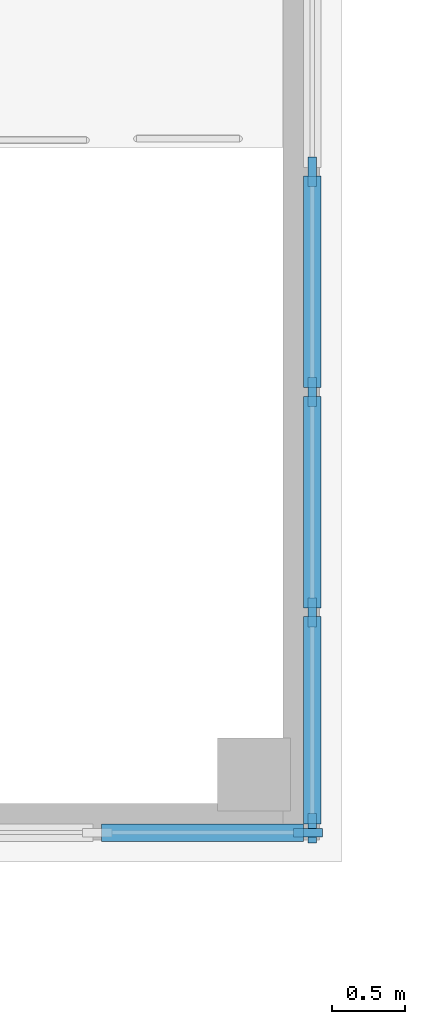
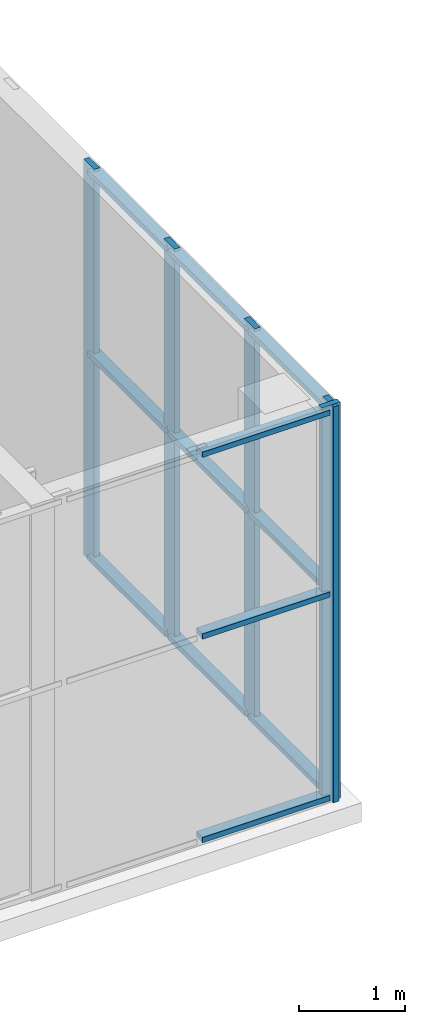
# One storey, part 38 of 92: 17 members, 2 elements without a shape of their own.
"""IFC4 building model written with IfcOpenShell, lengths in metres."""

from ifc_helpers import new_model, si_unit, direction, frame, origin, origin_2d, place, context, subcontext, project, spatial, rectangle, extrude, material, layer, layer_set, material_profile, profile_set, type_object, element, aggregate, save


model = new_model("IFC4")

# Units and contexts
model_context = context("Model", 3, precision=1e-05, world=origin(), true_north=direction((0.0, 1.0)))
body_context = subcontext(model_context, "Body", "Model", "MODEL_VIEW")
ifc_project = project(units=[si_unit("LENGTHUNIT", "METRE"), si_unit("AREAUNIT", "SQUARE_METRE"), si_unit("VOLUMEUNIT", "CUBIC_METRE"), si_unit("PLANEANGLEUNIT", "RADIAN"), si_unit("MASSUNIT", "GRAM", prefix="KILO")], contexts=[model_context])

# Site, building, storey
site_placement = place(None, origin())
site = spatial("IfcSite", under=ifc_project, at=site_placement, CompositionType="ELEMENT")
building_placement = place(site_placement, origin())
building = spatial("IfcBuilding", under=site, at=building_placement, Name="Lantern Court Media Centre", CompositionType="ELEMENT")
storey_placement = place(building_placement, frame((0.0, 0.0, 4.800048828125)))
storey = spatial("IfcBuildingStorey", under=building, at=storey_placement, Name="L01", CompositionType="ELEMENT", Elevation=4.800048828125)

# Curtain wall, member
ifc_material_1 = material(Name="Aluminium and glass", Category="aluminium")
ifc_layer = layer(ifc_material_1, 0.14990234375)
ifc_layer_set = layer_set([ifc_layer], Name="Aluminium and glass")
curtain_wall_type = type_object("IfcCurtainWallType", Name="Hall lancet glazing", PredefinedType="NOTDEFINED", material=ifc_layer_set)
curtain_wall_1_placement = place(storey_placement, origin())
curtain_wall_1 = element("IfcCurtainWall", 1, at=curtain_wall_1_placement, inside=storey, type_object=curtain_wall_type, Name="Press box glazing S 3", PredefinedType="NOTDEFINED")
ifc_material_2 = material(Name="Aluminium, anodised", Category="aluminium")
ifc_material_profile_1 = material_profile(ifc_material_2, rectangle(XDim=0.06005859375, YDim=0.199951171875, at=origin_2d()), Name="HM")
ifc_profile_set_1 = profile_set([ifc_material_profile_1], Name="Aluminium, anodised")
member_type_1 = type_object("IfcMemberType", Name="HM", PredefinedType="MULLION", material=ifc_profile_set_1)
member_1_placement = place(storey_placement, frame((63.77001953125, 73.199951171875, 0.0), z_axis=(0.0, 0.0, 1.0), x_axis=(0.0, 1.0, 0.0)))
member_1 = element("IfcMember", 2, at=member_1_placement, type_object=member_type_1, Name="HCW-PS3 mullion 17", PredefinedType="MULLION", context=body_context, shape_type="SweptSolid", body=[
    extrude(rectangle(XDim=0.06005859375, YDim=0.199951171875, at=origin_2d()), origin(), (0.0, 0.0, 1.0), 4.550048828125),
])

# Curtain wall, members
curtain_wall_2_placement = place(storey_placement, origin())
curtain_wall_2 = element("IfcCurtainWall", 3, at=curtain_wall_2_placement, inside=storey, type_object=curtain_wall_type, Name="Press box glazing E 3", PredefinedType="NOTDEFINED")
member_2_placement = place(storey_placement, frame((63.800048828125, 73.22998046875, 0.0), z_axis=(0.0, 0.0, 1.0), x_axis=(-1.0, 0.0, 0.0)))
member_2 = element("IfcMember", 4, at=member_2_placement, type_object=member_type_1, Name="HCW-PE3 mullion 1", PredefinedType="MULLION", context=body_context, shape_type="SweptSolid", body=[
    extrude(rectangle(XDim=0.06005859375, YDim=0.199951171875, at=origin_2d()), origin(), (0.0, 0.0, 1.0), 4.550048828125),
])
member_3_placement = place(storey_placement, frame((63.800048828125, 74.711181640625, 0.0), z_axis=(0.0, 0.0, 1.0), x_axis=(-1.0, 0.0, 0.0)))
member_3 = element("IfcMember", 5, at=member_3_placement, type_object=member_type_1, Name="HCW-PE3 mullion 2", PredefinedType="MULLION", context=body_context, shape_type="SweptSolid", body=[
    extrude(rectangle(XDim=0.06005859375, YDim=0.199951171875, at=origin_2d()), origin(), (0.0, 0.0, 1.0), 4.550048828125),
])
member_4_placement = place(storey_placement, frame((63.800048828125, 76.22216796875, 0.0), z_axis=(0.0, 0.0, 1.0), x_axis=(-1.0, 0.0, 0.0)))
member_4 = element("IfcMember", 6, at=member_4_placement, type_object=member_type_1, Name="HCW-PE3 mullion 3", PredefinedType="MULLION", context=body_context, shape_type="SweptSolid", body=[
    extrude(rectangle(XDim=0.06005859375, YDim=0.199951171875, at=origin_2d()), origin(), (0.0, 0.0, 1.0), 4.550048828125),
])
member_5_placement = place(storey_placement, frame((63.800048828125, 77.7333984375, 0.0), z_axis=(0.0, 0.0, 1.0), x_axis=(-1.0, 0.0, 0.0)))
member_5 = element("IfcMember", 7, at=member_5_placement, type_object=member_type_1, Name="HCW-PE3 mullion 4", PredefinedType="MULLION", context=body_context, shape_type="SweptSolid", body=[
    extrude(rectangle(XDim=0.06005859375, YDim=0.199951171875, at=origin_2d()), origin(), (0.0, 0.0, 1.0), 4.550048828125),
])

# Member
ifc_material_profile_2 = material_profile(ifc_material_2, rectangle(XDim=0.1201171875, YDim=0.06005859375, at=origin_2d()), Name="HT")
ifc_profile_set_2 = profile_set([ifc_material_profile_2], Name="Aluminium, anodised")
member_type_2 = type_object("IfcMemberType", Name="HT", PredefinedType="USERDEFINED", material=ifc_profile_set_2)
member_6_placement = place(storey_placement, frame((62.35498046875, 73.199951171875, 0.06005859375), z_axis=(1.0, 0.0, 0.0), x_axis=(0.0, 1.0, 0.0)))
member_6 = element("IfcMember", 8, at=member_6_placement, type_object=member_type_2, Name="HCW-PS3 transom 16.1", ObjectType="TRANSOM", PredefinedType="USERDEFINED", context=body_context, shape_type="SweptSolid", body=[
    extrude(rectangle(XDim=0.1201171875, YDim=0.06005859375, at=origin_2d()), origin(), (0.0, 0.0, 1.0), 1.385009765625),
])

member_7_placement = place(storey_placement, frame((62.35498046875, 73.199951171875, 2.39990234375), z_axis=(1.0, 0.0, 0.0), x_axis=(0.0, 1.0, 0.0)))
member_7 = element("IfcMember", 9, at=member_7_placement, type_object=member_type_2, Name="HCW-PS3 transom 16.2", ObjectType="TRANSOM", PredefinedType="USERDEFINED", context=body_context, shape_type="SweptSolid", body=[
    extrude(rectangle(XDim=0.1201171875, YDim=0.06005859375, at=origin_2d()), origin(), (0.0, 0.0, 1.0), 1.385009765625),
])

member_8_placement = place(storey_placement, frame((62.35498046875, 73.199951171875, 4.489990234375), z_axis=(1.0, 0.0, 0.0), x_axis=(0.0, 1.0, 0.0)))
member_8 = element("IfcMember", 10, at=member_8_placement, type_object=member_type_2, Name="HCW-PS3 transom 16.3", ObjectType="TRANSOM", PredefinedType="USERDEFINED", context=body_context, shape_type="SweptSolid", body=[
    extrude(rectangle(XDim=0.1201171875, YDim=0.06005859375, at=origin_2d()), origin(), (0.0, 0.0, 1.0), 1.385009765625),
])

aggregate(curtain_wall_1, [member_1, member_6, member_7, member_8])

member_9_placement = place(storey_placement, frame((63.800048828125, 73.260009765625, 0.06005859375), z_axis=(0.0, 1.0, 0.0), x_axis=(-1.0, 0.0, 0.0)))
member_9 = element("IfcMember", 11, at=member_9_placement, type_object=member_type_2, Name="HCW-PE3 transom 1.1", ObjectType="TRANSOM", PredefinedType="USERDEFINED", context=body_context, shape_type="SweptSolid", body=[
    extrude(rectangle(XDim=0.1201171875, YDim=0.06005859375, at=origin_2d()), origin(), (0.0, 0.0, 1.0), 1.421142578125),
])

member_10_placement = place(storey_placement, frame((63.800048828125, 73.260009765625, 2.39990234375), z_axis=(0.0, 1.0, 0.0), x_axis=(-1.0, 0.0, 0.0)))
member_10 = element("IfcMember", 12, at=member_10_placement, type_object=member_type_2, Name="HCW-PE3 transom 1.2", ObjectType="TRANSOM", PredefinedType="USERDEFINED", context=body_context, shape_type="SweptSolid", body=[
    extrude(rectangle(XDim=0.1201171875, YDim=0.06005859375, at=origin_2d()), origin(), (0.0, 0.0, 1.0), 1.421142578125),
])

member_11_placement = place(storey_placement, frame((63.800048828125, 73.260009765625, 4.489990234375), z_axis=(0.0, 1.0, 0.0), x_axis=(-1.0, 0.0, 0.0)))
member_11 = element("IfcMember", 13, at=member_11_placement, type_object=member_type_2, Name="HCW-PE3 transom 1.3", ObjectType="TRANSOM", PredefinedType="USERDEFINED", context=body_context, shape_type="SweptSolid", body=[
    extrude(rectangle(XDim=0.1201171875, YDim=0.06005859375, at=origin_2d()), origin(), (0.0, 0.0, 1.0), 1.421142578125),
])

member_12_placement = place(storey_placement, frame((63.800048828125, 74.7412109375, 0.06005859375), z_axis=(0.0, 1.0, 0.0), x_axis=(-1.0, 0.0, 0.0)))
member_12 = element("IfcMember", 14, at=member_12_placement, type_object=member_type_2, Name="HCW-PE3 transom 2.1", ObjectType="TRANSOM", PredefinedType="USERDEFINED", context=body_context, shape_type="SweptSolid", body=[
    extrude(rectangle(XDim=0.1201171875, YDim=0.06005859375, at=origin_2d()), origin(), (0.0, 0.0, 1.0), 1.450927734375),
])

member_13_placement = place(storey_placement, frame((63.800048828125, 74.7412109375, 2.39990234375), z_axis=(0.0, 1.0, 0.0), x_axis=(-1.0, 0.0, 0.0)))
member_13 = element("IfcMember", 15, at=member_13_placement, type_object=member_type_2, Name="HCW-PE3 transom 2.2", ObjectType="TRANSOM", PredefinedType="USERDEFINED", context=body_context, shape_type="SweptSolid", body=[
    extrude(rectangle(XDim=0.1201171875, YDim=0.06005859375, at=origin_2d()), origin(), (0.0, 0.0, 1.0), 1.450927734375),
])

member_14_placement = place(storey_placement, frame((63.800048828125, 74.7412109375, 4.489990234375), z_axis=(0.0, 1.0, 0.0), x_axis=(-1.0, 0.0, 0.0)))
member_14 = element("IfcMember", 16, at=member_14_placement, type_object=member_type_2, Name="HCW-PE3 transom 2.3", ObjectType="TRANSOM", PredefinedType="USERDEFINED", context=body_context, shape_type="SweptSolid", body=[
    extrude(rectangle(XDim=0.1201171875, YDim=0.06005859375, at=origin_2d()), origin(), (0.0, 0.0, 1.0), 1.450927734375),
])

member_15_placement = place(storey_placement, frame((63.800048828125, 76.252197265625, 0.06005859375), z_axis=(0.0, 1.0, 0.0), x_axis=(-1.0, 0.0, 0.0)))
member_15 = element("IfcMember", 17, at=member_15_placement, type_object=member_type_2, Name="HCW-PE3 transom 3.1", ObjectType="TRANSOM", PredefinedType="USERDEFINED", context=body_context, shape_type="SweptSolid", body=[
    extrude(rectangle(XDim=0.1201171875, YDim=0.06005859375, at=origin_2d()), origin(), (0.0, 0.0, 1.0), 1.451171875),
])

member_16_placement = place(storey_placement, frame((63.800048828125, 76.252197265625, 2.39990234375), z_axis=(0.0, 1.0, 0.0), x_axis=(-1.0, 0.0, 0.0)))
member_16 = element("IfcMember", 18, at=member_16_placement, type_object=member_type_2, Name="HCW-PE3 transom 3.2", ObjectType="TRANSOM", PredefinedType="USERDEFINED", context=body_context, shape_type="SweptSolid", body=[
    extrude(rectangle(XDim=0.1201171875, YDim=0.06005859375, at=origin_2d()), origin(), (0.0, 0.0, 1.0), 1.451171875),
])

member_17_placement = place(storey_placement, frame((63.800048828125, 76.252197265625, 4.489990234375), z_axis=(0.0, 1.0, 0.0), x_axis=(-1.0, 0.0, 0.0)))
member_17 = element("IfcMember", 19, at=member_17_placement, type_object=member_type_2, Name="HCW-PE3 transom 3.3", ObjectType="TRANSOM", PredefinedType="USERDEFINED", context=body_context, shape_type="SweptSolid", body=[
    extrude(rectangle(XDim=0.1201171875, YDim=0.06005859375, at=origin_2d()), origin(), (0.0, 0.0, 1.0), 1.451171875),
])

aggregate(curtain_wall_2, [member_2, member_3, member_4, member_5, member_9, member_10, member_11, member_12, member_13, member_14, member_15, member_16, member_17])

save(model, "model.ifc")
